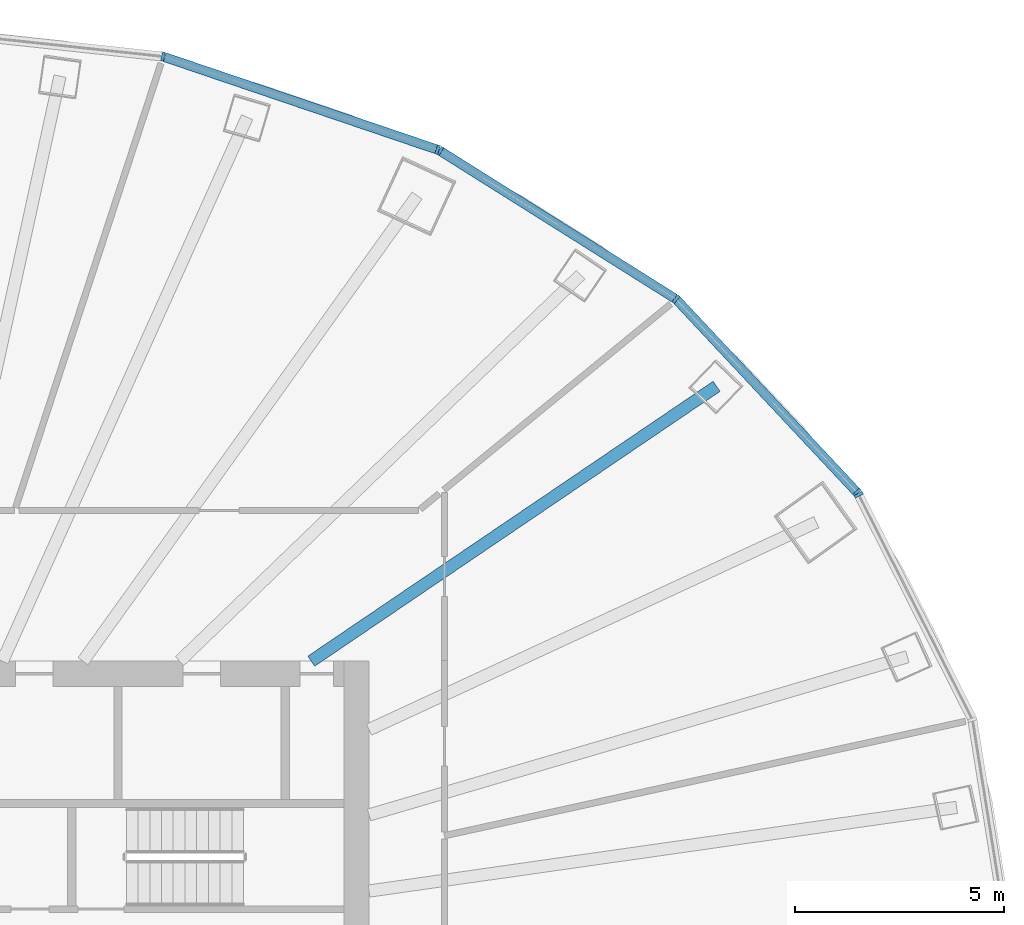
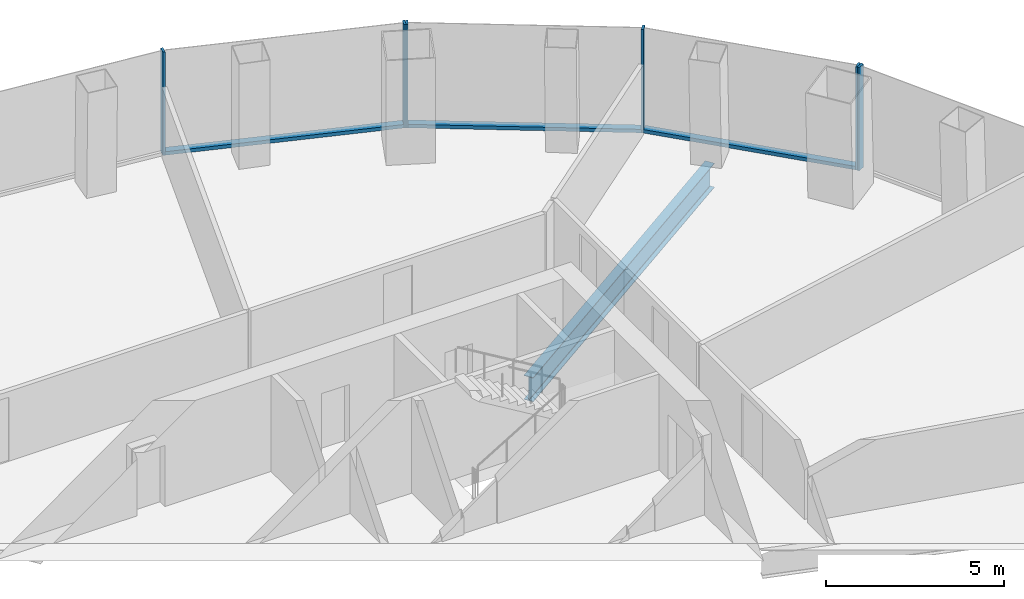
# One storey, part 6 of 11: 9 members, 1 beam, 3 elements without a shape of their own.
"""IFC4 building model written with IfcOpenShell, lengths in metres."""

from ifc_helpers import new_model, si_unit, direction, frame, origin, origin_2d, place, context, subcontext, project, spatial, rectangle, i_section, extrude, material, layer, layer_set, material_profile, profile_set, type_object, element, aggregate, save


model = new_model("IFC4")

# Units and contexts
model_context = context("Model", 3, precision=1e-05, world=origin(), true_north=direction((0.0, 1.0)))
body_context = subcontext(model_context, "Body", "Model", "MODEL_VIEW")
ifc_project = project(units=[si_unit("LENGTHUNIT", "METRE"), si_unit("AREAUNIT", "SQUARE_METRE"), si_unit("VOLUMEUNIT", "CUBIC_METRE"), si_unit("PLANEANGLEUNIT", "RADIAN"), si_unit("MASSUNIT", "GRAM", prefix="KILO")], contexts=[model_context])

# Site, building, storey
site_placement = place(None, origin())
site = spatial("IfcSite", under=ifc_project, at=site_placement, CompositionType="ELEMENT")
building_placement = place(site_placement, origin())
building = spatial("IfcBuilding", under=site, at=building_placement, Name="Siaravel Broadcast Tower", CompositionType="ELEMENT")
storey_placement = place(building_placement, frame((0.0, 0.0, 66.699951171875)))
storey = spatial("IfcBuildingStorey", under=building, at=storey_placement, Name="L15", CompositionType="ELEMENT", Elevation=66.699951171875)

# Beam
ifc_material_1 = material(Name="Steel S355", Category="steel")
ifc_material_profile_1 = material_profile(ifc_material_1, i_section(OverallWidth=0.291748046875, OverallDepth=0.8349609375, WebThickness=0.013916015625, FlangeThickness=0.018798828125, FilletRadius=0.017822265625, at=origin_2d()))
ifc_profile_set_1 = profile_set([ifc_material_profile_1], Name="Steel S355")
beam_type = type_object("IfcBeamType", Name="BM-UB 838x292x176", PredefinedType="BEAM", material=ifc_profile_set_1)
beam_placement = place(storey_placement, frame((20.303466796875, 13.7666015625, -0.5673828125), z_axis=(-0.827675152, -0.561207486, 0.0), x_axis=(0.561207486, -0.827675152, 0.0)))
element("IfcBeam", 1, at=beam_placement, inside=storey, type_object=beam_type, Name="Radial beam RB05", PredefinedType="BEAM", context=body_context, shape_type="SweptSolid", body=[
    extrude(i_section(OverallWidth=0.291748046875, OverallDepth=0.8349609375, WebThickness=0.013916015625, FlangeThickness=0.018798828125, FilletRadius=0.017822265625, at=origin_2d()), origin(), (0.0, 0.0, 1.0), 11.700927734375),
])

# Curtain wall, member
ifc_material_2 = material(Name="Aluminium 6063-T6", Category="aluminium")
ifc_layer = layer(ifc_material_2, 0.219970703125)
ifc_layer_set = layer_set([ifc_layer], Name="Aluminium 6063-T6")
curtain_wall_type = type_object("IfcCurtainWallType", Name="Unitised curtain wall, zone 1", PredefinedType="NOTDEFINED", material=ifc_layer_set)
curtain_wall_1_placement = place(storey_placement, origin())
curtain_wall_1 = element("IfcCurtainWall", 2, at=curtain_wall_1_placement, inside=storey, type_object=curtain_wall_type, Name="L15 Unitised curtain wall, zone 1 01", PredefinedType="NOTDEFINED")
ifc_material_profile_2 = material_profile(ifc_material_2, rectangle(XDim=0.219970703125, YDim=0.070068359375, at=origin_2d()))
ifc_profile_set_2 = profile_set([ifc_material_profile_2], Name="Aluminium 6063-T6")
member_type_1 = type_object("IfcMemberType", Name="CW-Z1 mullion", PredefinedType="MULLION", material=ifc_profile_set_2)
member_1_placement = place(storey_placement, frame((23.697265625, 11.177490234375, 0.0), z_axis=(0.0, 0.0, 1.0), x_axis=(-0.892391293, -0.451262428, 0.0)))
member_1 = element("IfcMember", 3, at=member_1_placement, type_object=member_type_1, Name="CW-Z1 mullion 3", PredefinedType="MULLION", context=body_context, shape_type="SweptSolid", body=[
    extrude(rectangle(XDim=0.219970703125, YDim=0.070068359375, at=origin_2d()), origin(), (0.0, 0.0, 1.0), 3.550048828125),
])
aggregate(curtain_wall_1, [member_1])

# Curtain wall, members
curtain_wall_2_placement = place(storey_placement, origin())
curtain_wall_2 = element("IfcCurtainWall", 4, at=curtain_wall_2_placement, inside=storey, type_object=curtain_wall_type, Name="L15 Unitised curtain wall, zone 1 02", PredefinedType="NOTDEFINED")
member_2_placement = place(storey_placement, frame((23.657470703125, 11.234375, 0.0), z_axis=(0.0, 0.0, 1.0), x_axis=(-0.729803931, -0.683656509, 0.0)))
member_2 = element("IfcMember", 5, at=member_2_placement, type_object=member_type_1, Name="CW-Z1 mullion 1", PredefinedType="MULLION", context=body_context, shape_type="SweptSolid", body=[
    extrude(rectangle(XDim=0.219970703125, YDim=0.070068359375, at=origin_2d()), origin(), (0.0, 0.0, 1.0), 3.550048828125),
])
member_3_placement = place(storey_placement, frame((19.333984375, 15.849609375, 0.0), z_axis=(0.0, 0.0, 1.0), x_axis=(-0.636217305, -0.77150991, 0.0)))
member_3 = element("IfcMember", 6, at=member_3_placement, type_object=member_type_1, Name="CW-Z1 mullion 2", PredefinedType="MULLION", context=body_context, shape_type="SweptSolid", body=[
    extrude(rectangle(XDim=0.219970703125, YDim=0.070068359375, at=origin_2d()), origin(), (0.0, 0.0, 1.0), 3.550048828125),
])
member_4_placement = place(storey_placement, frame((13.699951171875, 19.390869140625, 0.0), z_axis=(0.0, 0.0, 1.0), x_axis=(-0.532147932, -0.846651392, 0.0)))
member_4 = element("IfcMember", 7, at=member_4_placement, type_object=member_type_1, Name="CW-Z1 mullion 3", PredefinedType="MULLION", context=body_context, shape_type="SweptSolid", body=[
    extrude(rectangle(XDim=0.219970703125, YDim=0.070068359375, at=origin_2d()), origin(), (0.0, 0.0, 1.0), 3.550048828125),
])

curtain_wall_3_placement = place(storey_placement, origin())
curtain_wall_3 = element("IfcCurtainWall", 8, at=curtain_wall_3_placement, inside=storey, type_object=curtain_wall_type, Name="L15 Unitised curtain wall, zone 1 03", PredefinedType="NOTDEFINED")
member_5_placement = place(storey_placement, frame((13.63720703125, 19.420654296875, 0.0), z_axis=(0.0, 0.0, 1.0), x_axis=(-0.321299732, -0.946977551, 0.0)))
member_5 = element("IfcMember", 9, at=member_5_placement, type_object=member_type_1, Name="CW-Z1 mullion 1", PredefinedType="MULLION", context=body_context, shape_type="SweptSolid", body=[
    extrude(rectangle(XDim=0.219970703125, YDim=0.070068359375, at=origin_2d()), origin(), (0.0, 0.0, 1.0), 3.550048828125),
])
member_6_placement = place(storey_placement, frame((7.075927734375, 21.646728515625, 0.0), z_axis=(0.0, 0.0, 1.0), x_axis=(-0.215557455, -0.976491159, 0.0)))
member_6 = element("IfcMember", 10, at=member_6_placement, type_object=member_type_1, Name="CW-Z1 mullion 2", PredefinedType="MULLION", context=body_context, shape_type="SweptSolid", body=[
    extrude(rectangle(XDim=0.219970703125, YDim=0.070068359375, at=origin_2d()), origin(), (0.0, 0.0, 1.0), 3.550048828125),
])

# Member
ifc_material_profile_3 = material_profile(ifc_material_2, rectangle(XDim=0.219970703125, YDim=0.1201171875, at=origin_2d()))
ifc_profile_set_3 = profile_set([ifc_material_profile_3], Name="Aluminium 6063-T6")
member_type_2 = type_object("IfcMemberType", Name="CW-Z1 transom", PredefinedType="USERDEFINED", material=ifc_profile_set_3)
member_7_placement = place(storey_placement, frame((23.633544921875, 11.259765625, 0.06005859375), z_axis=(-0.683638503, 0.729820798, 0.0), x_axis=(-0.729820798, -0.683638503, 0.0)))
member_7 = element("IfcMember", 11, at=member_7_placement, type_object=member_type_2, Name="CW-Z1 transom 1", ObjectType="TRANSOM", PredefinedType="USERDEFINED", context=body_context, shape_type="SweptSolid", body=[
    extrude(rectangle(XDim=0.219970703125, YDim=0.1201171875, at=origin_2d()), origin(), (0.0, 0.0, 1.0), 6.25390625),
])

member_8_placement = place(storey_placement, frame((19.304443359375, 15.8681640625, 0.06005859375), z_axis=(-0.846643708, 0.532160155, 0.0), x_axis=(-0.532160155, -0.846643708, 0.0)))
member_8 = element("IfcMember", 12, at=member_8_placement, type_object=member_type_2, Name="CW-Z1 transom 2", ObjectType="TRANSOM", PredefinedType="USERDEFINED", context=body_context, shape_type="SweptSolid", body=[
    extrude(rectangle(XDim=0.219970703125, YDim=0.1201171875, at=origin_2d()), origin(), (0.0, 0.0, 1.0), 6.584716796875),
])

aggregate(curtain_wall_2, [member_2, member_3, member_4, member_7, member_8])

member_9_placement = place(storey_placement, frame((13.60400390625, 19.431884765625, 0.06005859375), z_axis=(-0.946978894, 0.321295775, 0.0), x_axis=(-0.321295775, -0.946978894, 0.0)))
member_9 = element("IfcMember", 13, at=member_9_placement, type_object=member_type_2, Name="CW-Z1 transom 1", ObjectType="TRANSOM", PredefinedType="USERDEFINED", context=body_context, shape_type="SweptSolid", body=[
    extrude(rectangle(XDim=0.219970703125, YDim=0.1201171875, at=origin_2d()), origin(), (0.0, 0.0, 1.0), 6.8583984375),
])

aggregate(curtain_wall_3, [member_5, member_6, member_9])

save(model, "model.ifc")
